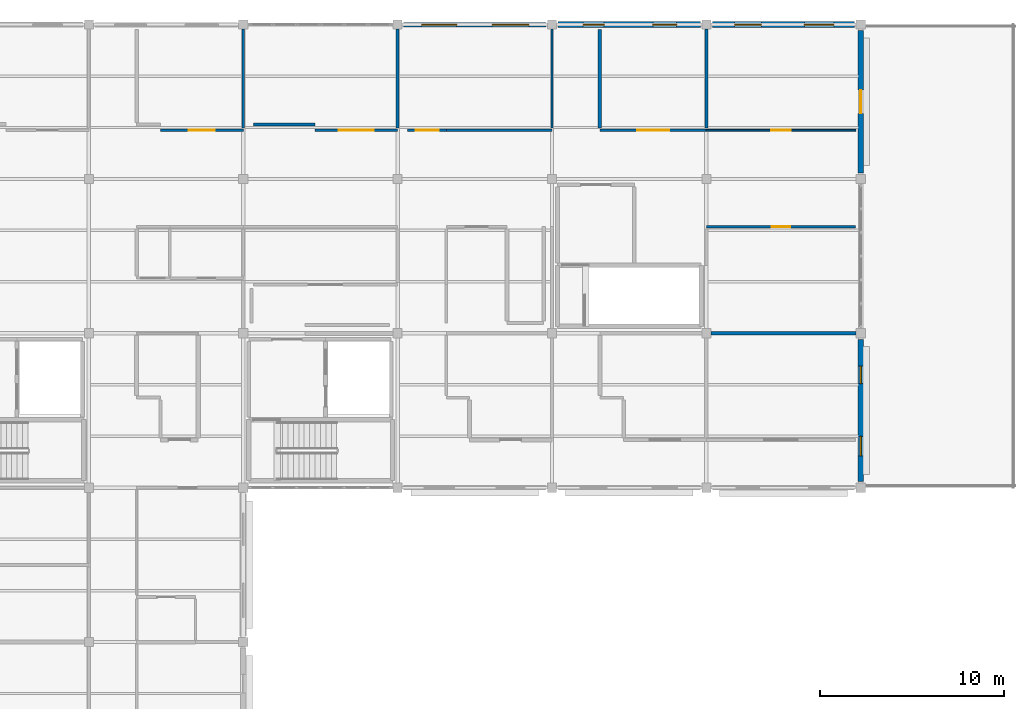
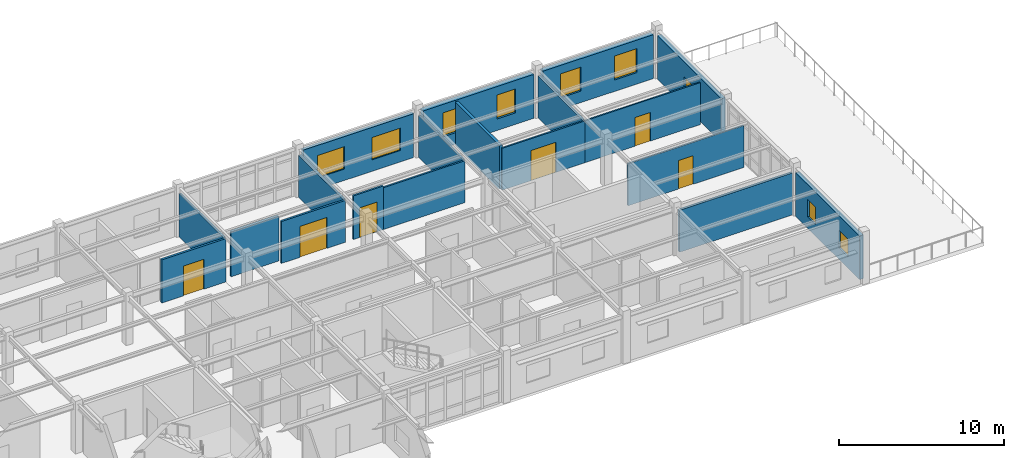
# One storey, part 45 of 53: 19 walls, 8 windows, 7 doors, 15 openings.
"""IFC4 building model written with IfcOpenShell, lengths in metres."""

from ifc_helpers import new_model, si_unit, direction, frame, frame_2d, origin, place, context, subcontext, project, spatial, rectangle, extrude, material, layer, layer_set, type_object, element, fill, save


model = new_model("IFC4")

# Units and contexts
model_context = context("Model", 3, precision=1e-05, world=origin(), true_north=direction((0.0, 1.0)))
body_context = subcontext(model_context, "Body", "Model", "MODEL_VIEW")
ifc_project = project(units=[si_unit("LENGTHUNIT", "METRE"), si_unit("AREAUNIT", "SQUARE_METRE"), si_unit("VOLUMEUNIT", "CUBIC_METRE"), si_unit("PLANEANGLEUNIT", "RADIAN"), si_unit("MASSUNIT", "GRAM", prefix="KILO")], contexts=[model_context])

# Site, building, storey
site_placement = place(None, origin())
site = spatial("IfcSite", under=ifc_project, at=site_placement, CompositionType="ELEMENT")
building_placement = place(site_placement, origin())
building = spatial("IfcBuilding", under=site, at=building_placement, Name="Bramfleet General Hospital", CompositionType="ELEMENT")
storey_placement = place(building_placement, frame((0.0, 0.0, 26.39990234375)))
storey = spatial("IfcBuildingStorey", under=building, at=storey_placement, Name="L06", CompositionType="ELEMENT", Elevation=26.39990234375)

# Wall, openings, windows
ifc_material_1 = material(Name="Precast concrete C40/50", Category="concrete")
ifc_layer_1 = layer(ifc_material_1, 0.3349609375, Name="WT-EW-03")
ifc_layer_set_1 = layer_set([ifc_layer_1], Name="Precast concrete C40/50")
wall_type_1 = type_object("IfcWallType", Name="WT-EW-03", PredefinedType="SOLIDWALL", material=ifc_layer_set_1)
wall_1_placement = place(storey_placement, frame((134.72509765625, 117.60009765625, 0.0), z_axis=(0.0, 0.0, 1.0), x_axis=(1.0, 0.0, 0.0)))
wall_1 = element("IfcWall", 1, at=wall_1_placement, inside=storey, type_object=wall_type_1, Name="L06 Exterior Wall 400", PredefinedType="SOLIDWALL", context=body_context, shape_type="SweptSolid", body=[
    extrude(rectangle(XDim=7.75, YDim=0.3349609375, at=frame_2d((3.875, 0.0))), origin(), (0.0, 0.0, 1.0), 3.260009765625),
])
opening_1_placement = place(wall_1_placement, frame((1.362548828125, 0.0, 0.85009765625)))
opening_1 = element("IfcOpeningElement", 2, at=opening_1_placement, cuts=wall_1, Name="Opening W-41", PredefinedType="OPENING", context=body_context, shape_type="SweptSolid", body=[
    extrude(rectangle(XDim=1.14990234375, YDim=1.780029296875, at=frame_2d((0.574951171875, 0.89013671875))), frame((0.0, 0.177490234375, 0.0), z_axis=(0.0, -1.0, 0.0), x_axis=(1.0, 0.0, 0.0)), (0.0, 0.0, 1.0), 0.35498046875),
])
opening_2_placement = place(wall_1_placement, frame((5.16259765625, 0.0, 0.85009765625)))
opening_2 = element("IfcOpeningElement", 3, at=opening_2_placement, cuts=wall_1, Name="Opening W-42", PredefinedType="OPENING", context=body_context, shape_type="SweptSolid", body=[
    extrude(rectangle(XDim=1.300048828125, YDim=1.780029296875, at=frame_2d((0.64990234375, 0.89013671875))), frame((0.0, 0.177490234375, 0.0), z_axis=(0.0, -1.0, 0.0), x_axis=(1.0, 0.0, 0.0)), (0.0, 0.0, 1.0), 0.35498046875),
])
ifc_material_2 = material(Name="Anodised aluminium and low-E triple glazing", Category="aluminium")
window_type_1 = type_object("IfcWindowType", Name="WIN-W-41", PartitioningType="SINGLE_PANEL", PredefinedType="WINDOW", material=ifc_material_2)
window_1_placement = place(opening_1_placement, origin())
window_1 = element("IfcWindow", 4, at=window_1_placement, inside=storey, type_object=window_type_1, Name="L06 Facade Window WIN-L06-400-1", OverallHeight=1.780029296875, OverallWidth=1.14990234375, PartitioningType="SINGLE_PANEL", PredefinedType="WINDOW", context=body_context, shape_type="SweptSolid", body=[
    extrude(rectangle(XDim=1.14990234375, YDim=1.780029296875, at=frame_2d((0.574951171875, 0.89013671875))), frame((0.0, 0.030029296875, 0.0), z_axis=(0.0, -1.0, 0.0), x_axis=(1.0, 0.0, 0.0)), (0.0, 0.0, 1.0), 0.06005859375),
])
fill(opening_1, window_1)
window_type_2 = type_object("IfcWindowType", Name="WIN-W-42", PartitioningType="SINGLE_PANEL", PredefinedType="WINDOW", material=ifc_material_2)
window_2_placement = place(opening_2_placement, origin())
window_2 = element("IfcWindow", 5, at=window_2_placement, inside=storey, type_object=window_type_2, Name="L06 Facade Window WIN-L06-400-2", OverallHeight=1.780029296875, OverallWidth=1.300048828125, PartitioningType="SINGLE_PANEL", PredefinedType="WINDOW", context=body_context, shape_type="SweptSolid", body=[
    extrude(rectangle(XDim=1.300048828125, YDim=1.780029296875, at=frame_2d((0.64990234375, 0.89013671875))), frame((0.0, 0.030029296875, 0.0), z_axis=(0.0, -1.0, 0.0), x_axis=(1.0, 0.0, 0.0)), (0.0, 0.0, 1.0), 0.06005859375),
])
fill(opening_2, window_2)

ifc_layer_2 = layer(ifc_material_1, 0.31494140625, Name="WT-EW-04")
ifc_layer_set_2 = layer_set([ifc_layer_2], Name="Precast concrete C40/50")
wall_type_2 = type_object("IfcWallType", Name="WT-EW-04", PredefinedType="SOLIDWALL", material=ifc_layer_set_2)
wall_2_placement = place(storey_placement, frame((143.125, 117.60009765625, 0.0), z_axis=(0.0, 0.0, 1.0), x_axis=(1.0, 0.0, 0.0)))
wall_2 = element("IfcWall", 6, at=wall_2_placement, inside=storey, type_object=wall_type_2, Name="L06 Exterior Wall 401", PredefinedType="SOLIDWALL", context=body_context, shape_type="SweptSolid", body=[
    extrude(rectangle(XDim=7.75, YDim=0.31494140625, at=frame_2d((3.875, 0.0))), origin(), (0.0, 0.0, 1.0), 3.260009765625),
])
opening_3_placement = place(wall_2_placement, frame((1.21240234375, 0.0, 0.85009765625)))
opening_3 = element("IfcOpeningElement", 7, at=opening_3_placement, cuts=wall_2, Name="Opening W-43", PredefinedType="OPENING", context=body_context, shape_type="SweptSolid", body=[
    extrude(rectangle(XDim=1.449951171875, YDim=1.780029296875, at=frame_2d((0.72509765625, 0.89013671875))), frame((0.0, 0.16748046875, 0.0), z_axis=(0.0, -1.0, 0.0), x_axis=(1.0, 0.0, 0.0)), (0.0, 0.0, 1.0), 0.3349609375),
])
opening_4_placement = place(wall_2_placement, frame((5.012451171875, 0.0, 0.85009765625)))
opening_4 = element("IfcOpeningElement", 8, at=opening_4_placement, cuts=wall_2, Name="Opening W-44", PredefinedType="OPENING", context=body_context, shape_type="SweptSolid", body=[
    extrude(rectangle(XDim=1.60009765625, YDim=1.780029296875, at=frame_2d((0.800048828125, 0.89013671875))), frame((0.0, 0.16748046875, 0.0), z_axis=(0.0, -1.0, 0.0), x_axis=(1.0, 0.0, 0.0)), (0.0, 0.0, 1.0), 0.3349609375),
])
window_type_3 = type_object("IfcWindowType", Name="WIN-W-43", PartitioningType="SINGLE_PANEL", PredefinedType="WINDOW", material=ifc_material_2)
window_3_placement = place(opening_3_placement, origin())
window_3 = element("IfcWindow", 9, at=window_3_placement, inside=storey, type_object=window_type_3, Name="L06 Facade Window WIN-L06-401-1", OverallHeight=1.780029296875, OverallWidth=1.449951171875, PartitioningType="SINGLE_PANEL", PredefinedType="WINDOW", context=body_context, shape_type="SweptSolid", body=[
    extrude(rectangle(XDim=1.449951171875, YDim=1.780029296875, at=frame_2d((0.72509765625, 0.89013671875))), frame((0.0, 0.030029296875, 0.0), z_axis=(0.0, -1.0, 0.0), x_axis=(1.0, 0.0, 0.0)), (0.0, 0.0, 1.0), 0.06005859375),
])
fill(opening_3, window_3)
window_type_4 = type_object("IfcWindowType", Name="WIN-W-44", PartitioningType="SINGLE_PANEL", PredefinedType="WINDOW", material=ifc_material_2)
window_4_placement = place(opening_4_placement, origin())
window_4 = element("IfcWindow", 10, at=window_4_placement, inside=storey, type_object=window_type_4, Name="L06 Facade Window WIN-L06-401-2", OverallHeight=1.780029296875, OverallWidth=1.60009765625, PartitioningType="SINGLE_PANEL", PredefinedType="WINDOW", context=body_context, shape_type="SweptSolid", body=[
    extrude(rectangle(XDim=1.60009765625, YDim=1.780029296875, at=frame_2d((0.800048828125, 0.89013671875))), frame((0.0, 0.030029296875, 0.0), z_axis=(0.0, -1.0, 0.0), x_axis=(1.0, 0.0, 0.0)), (0.0, 0.0, 1.0), 0.06005859375),
])
fill(opening_4, window_4)

# Wall, opening, door
ifc_layer_3 = layer(ifc_material_1, 0.294921875, Name="WT-EW-05")
ifc_layer_set_3 = layer_set([ifc_layer_3], Name="Precast concrete C40/50")
wall_type_3 = type_object("IfcWallType", Name="WT-EW-05", PredefinedType="SOLIDWALL", material=ifc_layer_set_3)
wall_3_placement = place(storey_placement, frame((151.199951171875, 117.27490234375, 0.0), z_axis=(0.0, 0.0, 1.0), x_axis=(0.0, -1.0, 0.0)))
wall_3 = element("IfcWall", 11, at=wall_3_placement, inside=storey, type_object=wall_type_3, Name="L06 Exterior Wall 402", PredefinedType="SOLIDWALL", context=body_context, shape_type="SweptSolid", body=[
    extrude(rectangle(XDim=7.75, YDim=0.294921875, at=frame_2d((3.875, 0.0))), origin(), (0.0, 0.0, 1.0), 3.239990234375),
])
opening_5_placement = place(wall_3_placement, frame((3.2451171875, 0.0, 0.0)))
opening_5 = element("IfcOpeningElement", 12, at=opening_5_placement, cuts=wall_3, Name="Opening D-L06-TER-030", PredefinedType="OPENING", context=body_context, shape_type="SweptSolid", body=[
    extrude(rectangle(XDim=1.260009765625, YDim=2.14990234375, at=frame_2d((0.6298828125, 1.074951171875))), frame((0.0, 0.157470703125, 0.0), z_axis=(0.0, -1.0, 0.0), x_axis=(1.0, 0.0, 0.0)), (0.0, 0.0, 1.0), 0.31494140625),
])
ifc_material_3 = material(Name="Thermally broken steel and laminated safety glass", Category="steel")
door_type_1 = type_object("IfcDoorType", Name="DR-ED-05", OperationType="NOTDEFINED", PredefinedType="DOOR", material=ifc_material_3)
door_1_placement = place(opening_5_placement, origin())
door_1 = element("IfcDoor", 13, at=door_1_placement, inside=storey, type_object=door_type_1, Name="L06 Terrace Pedestrian Access Door D-L06-TER-030", OperationType="SINGLE_SWING_LEFT", OverallHeight=2.14990234375, OverallWidth=1.260009765625, PredefinedType="DOOR", context=body_context, shape_type="SweptSolid", body=[
    extrude(rectangle(XDim=1.260009765625, YDim=2.14990234375, at=frame_2d((0.6298828125, 1.074951171875))), frame((0.0, 0.02490234375, 0.0), z_axis=(0.0, -1.0, 0.0), x_axis=(1.0, 0.0, 0.0)), (0.0, 0.0, 1.0), 0.050048828125),
])
fill(opening_5, door_1)

# Wall, openings, windows
ifc_layer_4 = layer(ifc_material_1, 0.280029296875, Name="WT-EW-06")
ifc_layer_set_4 = layer_set([ifc_layer_4], Name="Precast concrete C40/50")
wall_type_4 = type_object("IfcWallType", Name="WT-EW-06", PredefinedType="SOLIDWALL", material=ifc_layer_set_4)
wall_4_placement = place(storey_placement, frame((151.199951171875, 100.47509765625, 0.0), z_axis=(0.0, 0.0, 1.0), x_axis=(0.0, -1.0, 0.0)))
wall_4 = element("IfcWall", 14, at=wall_4_placement, inside=storey, type_object=wall_type_4, Name="L06 Exterior Wall 403", PredefinedType="SOLIDWALL", context=body_context, shape_type="SweptSolid", body=[
    extrude(rectangle(XDim=7.75, YDim=0.280029296875, at=frame_2d((3.875, 0.0))), origin(), (0.0, 0.0, 1.0), 3.239990234375),
])
opening_6_placement = place(wall_4_placement, frame((1.46240234375, 0.0, 0.85009765625)))
opening_6 = element("IfcOpeningElement", 15, at=opening_6_placement, cuts=wall_4, Name="Opening W-01", PredefinedType="OPENING", context=body_context, shape_type="SweptSolid", body=[
    extrude(rectangle(XDim=0.949951171875, YDim=1.300048828125, at=frame_2d((0.47509765625, 0.64990234375))), frame((0.0, 0.14990234375, 0.0), z_axis=(0.0, -1.0, 0.0), x_axis=(1.0, 0.0, 0.0)), (0.0, 0.0, 1.0), 0.300048828125),
])
opening_7_placement = place(wall_4_placement, frame((5.28759765625, 0.0, 0.85009765625)))
opening_7 = element("IfcOpeningElement", 16, at=opening_7_placement, cuts=wall_4, Name="Opening W-02", PredefinedType="OPENING", context=body_context, shape_type="SweptSolid", body=[
    extrude(rectangle(XDim=1.050048828125, YDim=1.300048828125, at=frame_2d((0.52490234375, 0.64990234375))), frame((0.0, 0.14990234375, 0.0), z_axis=(0.0, -1.0, 0.0), x_axis=(1.0, 0.0, 0.0)), (0.0, 0.0, 1.0), 0.300048828125),
])
window_type_5 = type_object("IfcWindowType", Name="WIN-W-01", PartitioningType="SINGLE_PANEL", PredefinedType="WINDOW", material=ifc_material_2)
window_5_placement = place(opening_6_placement, origin())
window_5 = element("IfcWindow", 17, at=window_5_placement, inside=storey, type_object=window_type_5, Name="L06 Facade Window WIN-L06-403-1", OverallHeight=1.300048828125, OverallWidth=0.949951171875, PartitioningType="SINGLE_PANEL", PredefinedType="WINDOW", context=body_context, shape_type="SweptSolid", body=[
    extrude(rectangle(XDim=0.949951171875, YDim=1.300048828125, at=frame_2d((0.47509765625, 0.64990234375))), frame((0.0, 0.030029296875, 0.0), z_axis=(0.0, -1.0, 0.0), x_axis=(1.0, 0.0, 0.0)), (0.0, 0.0, 1.0), 0.06005859375),
])
fill(opening_6, window_5)
window_type_6 = type_object("IfcWindowType", Name="WIN-W-02", PartitioningType="SINGLE_PANEL", PredefinedType="WINDOW", material=ifc_material_2)
window_6_placement = place(opening_7_placement, origin())
window_6 = element("IfcWindow", 18, at=window_6_placement, inside=storey, type_object=window_type_6, Name="L06 Facade Window WIN-L06-403-2", OverallHeight=1.300048828125, OverallWidth=1.050048828125, PartitioningType="SINGLE_PANEL", PredefinedType="WINDOW", context=body_context, shape_type="SweptSolid", body=[
    extrude(rectangle(XDim=1.050048828125, YDim=1.300048828125, at=frame_2d((0.52490234375, 0.64990234375))), frame((0.0, 0.030029296875, 0.0), z_axis=(0.0, -1.0, 0.0), x_axis=(1.0, 0.0, 0.0)), (0.0, 0.0, 1.0), 0.06005859375),
])
fill(opening_7, window_6)

ifc_layer_5 = layer(ifc_material_1, 0.235107421875, Name="WT-EW-09")
ifc_layer_set_5 = layer_set([ifc_layer_5], Name="Precast concrete C40/50")
wall_type_5 = type_object("IfcWallType", Name="WT-EW-09", PredefinedType="SOLIDWALL", material=ifc_layer_set_5)
wall_5_placement = place(storey_placement, frame((126.324951171875, 117.60009765625, 0.0), z_axis=(0.0, 0.0, 1.0), x_axis=(1.0, 0.0, 0.0)))
wall_5 = element("IfcWall", 19, at=wall_5_placement, inside=storey, type_object=wall_type_5, Name="L06 Exterior Wall 399", PredefinedType="SOLIDWALL", context=body_context, shape_type="SweptSolid", body=[
    extrude(rectangle(XDim=7.75, YDim=0.235107421875, at=frame_2d((3.875, 0.0))), origin(), (0.0, 0.0, 1.0), 3.260009765625),
])
opening_8_placement = place(wall_5_placement, frame((0.987548828125, 0.0, 0.85009765625)))
opening_8 = element("IfcOpeningElement", 20, at=opening_8_placement, cuts=wall_5, Name="Opening W-39", PredefinedType="OPENING", context=body_context, shape_type="SweptSolid", body=[
    extrude(rectangle(XDim=1.89990234375, YDim=1.659912109375, at=frame_2d((0.949951171875, 0.830078125))), frame((0.0, 0.12744140625, 0.0), z_axis=(0.0, -1.0, 0.0), x_axis=(1.0, 0.0, 0.0)), (0.0, 0.0, 1.0), 0.255126953125),
])
opening_9_placement = place(wall_5_placement, frame((4.8125, 0.0, 0.85009765625)))
opening_9 = element("IfcOpeningElement", 21, at=opening_9_placement, cuts=wall_5, Name="Opening W-40", PredefinedType="OPENING", context=body_context, shape_type="SweptSolid", body=[
    extrude(rectangle(XDim=2.0, YDim=1.659912109375, at=frame_2d((1.0, 0.830078125))), frame((0.0, 0.12744140625, 0.0), z_axis=(0.0, -1.0, 0.0), x_axis=(1.0, 0.0, 0.0)), (0.0, 0.0, 1.0), 0.255126953125),
])
window_type_7 = type_object("IfcWindowType", Name="WIN-W-39", PartitioningType="SINGLE_PANEL", PredefinedType="WINDOW", material=ifc_material_2)
window_7_placement = place(opening_8_placement, origin())
window_7 = element("IfcWindow", 22, at=window_7_placement, inside=storey, type_object=window_type_7, Name="L06 Facade Window WIN-L06-399-1", OverallHeight=1.659912109375, OverallWidth=1.89990234375, PartitioningType="SINGLE_PANEL", PredefinedType="WINDOW", context=body_context, shape_type="SweptSolid", body=[
    extrude(rectangle(XDim=1.89990234375, YDim=1.659912109375, at=frame_2d((0.949951171875, 0.830078125))), frame((0.0, 0.030029296875, 0.0), z_axis=(0.0, -1.0, 0.0), x_axis=(1.0, 0.0, 0.0)), (0.0, 0.0, 1.0), 0.06005859375),
])
fill(opening_8, window_7)
window_type_8 = type_object("IfcWindowType", Name="WIN-W-40", PartitioningType="SINGLE_PANEL", PredefinedType="WINDOW", material=ifc_material_2)
window_8_placement = place(opening_9_placement, origin())
window_8 = element("IfcWindow", 23, at=window_8_placement, inside=storey, type_object=window_type_8, Name="L06 Facade Window WIN-L06-399-2", OverallHeight=1.659912109375, OverallWidth=2.0, PartitioningType="SINGLE_PANEL", PredefinedType="WINDOW", context=body_context, shape_type="SweptSolid", body=[
    extrude(rectangle(XDim=2.0, YDim=1.659912109375, at=frame_2d((1.0, 0.830078125))), frame((0.0, 0.030029296875, 0.0), z_axis=(0.0, -1.0, 0.0), x_axis=(1.0, 0.0, 0.0)), (0.0, 0.0, 1.0), 0.06005859375),
])
fill(opening_9, window_8)

# Walls
ifc_material_4 = material(Name="Concrete C35/45", Category="concrete")
ifc_layer_6 = layer(ifc_material_4, 0.205078125, Name="WT-IW-02")
ifc_layer_set_6 = layer_set([ifc_layer_6], Name="Concrete C35/45")
wall_type_6 = type_object("IfcWallType", Name="WT-IW-02", PredefinedType="PARTITIONING", material=ifc_layer_set_6)
wall_6_placement = place(storey_placement, frame((137.0, 111.965087890625, 0.0), z_axis=(0.0, 0.0, 1.0), x_axis=(0.0, 1.0, 0.0)))
element("IfcWall", 24, at=wall_6_placement, inside=storey, type_object=wall_type_6, Name="L06 Interior Partition IW-L06-4118", PredefinedType="PARTITIONING", context=body_context, shape_type="SweptSolid", body=[
    extrude(rectangle(XDim=5.35498046875, YDim=0.205078125, at=frame_2d((2.677490234375, 0.0))), origin(), (0.0, 0.0, 1.0), 3.239990234375),
])
ifc_layer_7 = layer(ifc_material_4, 0.179931640625, Name="WT-IW-04")
ifc_layer_set_7 = layer_set([ifc_layer_7], Name="Concrete C35/45")
wall_type_7 = type_object("IfcWallType", Name="WT-IW-04", PredefinedType="PARTITIONING", material=ifc_layer_set_7)
wall_7_placement = place(storey_placement, frame((143.044921875, 100.800048828125, 0.0), z_axis=(0.0, 0.0, 1.0), x_axis=(1.0, 0.0, 0.0)))
element("IfcWall", 25, at=wall_7_placement, inside=storey, type_object=wall_type_7, Name="L06 Interior Partition IW-L06-3940", PredefinedType="PARTITIONING", context=body_context, shape_type="SweptSolid", body=[
    extrude(rectangle(XDim=7.91015625, YDim=0.179931640625, at=frame_2d((3.955078125, 0.0))), origin(), (0.0, 0.0, 1.0), 3.110107421875),
])
ifc_material_5 = material(Name="Gypsum plasterboard on acoustic steel studs", Category="steel")
ifc_layer_8 = layer(ifc_material_5, 0.169921875, Name="WT-IW-05")
ifc_layer_set_8 = layer_set([ifc_layer_8], Name="Gypsum plasterboard on acoustic steel studs")
wall_type_8 = type_object("IfcWallType", Name="WT-IW-05", PredefinedType="PARTITIONING", material=ifc_layer_set_8)
wall_8_placement = place(storey_placement, frame((126.0, 111.965087890625, 0.0), z_axis=(0.0, 0.0, 1.0), x_axis=(0.0, 1.0, 0.0)))
element("IfcWall", 26, at=wall_8_placement, inside=storey, type_object=wall_type_8, Name="L06 Interior Partition IW-L06-4097", PredefinedType="PARTITIONING", context=body_context, shape_type="SweptSolid", body=[
    extrude(rectangle(XDim=5.389892578125, YDim=0.169921875, at=frame_2d((2.69482421875, 0.0))), origin(), (0.0, 0.0, 1.0), 3.110107421875),
])
ifc_layer_9 = layer(ifc_material_5, 0.159912109375, Name="WT-IW-06")
ifc_layer_set_9 = layer_set([ifc_layer_9], Name="Gypsum plasterboard on acoustic steel studs")
wall_type_9 = type_object("IfcWallType", Name="WT-IW-06", PredefinedType="PARTITIONING", material=ifc_layer_set_9)
wall_9_placement = place(storey_placement, frame((118.14990234375, 112.169921875, 0.0), z_axis=(0.0, 0.0, 1.0), x_axis=(1.0, 0.0, 0.0)))
element("IfcWall", 27, at=wall_9_placement, inside=storey, type_object=wall_type_9, Name="L06 Interior Partition IW-L06-3978", PredefinedType="PARTITIONING", context=body_context, shape_type="SweptSolid", body=[
    extrude(rectangle(XDim=3.35009765625, YDim=0.159912109375, at=frame_2d((1.675048828125, 0.0))), origin(), (0.0, 0.0, 1.0), 3.340087890625),
])
wall_10_placement = place(storey_placement, frame((142.800048828125, 111.965087890625, 0.0), z_axis=(0.0, 0.0, 1.0), x_axis=(0.0, 1.0, 0.0)))
element("IfcWall", 28, at=wall_10_placement, inside=storey, type_object=wall_type_9, Name="L06 Interior Partition IW-L06-4122", PredefinedType="PARTITIONING", context=body_context, shape_type="SweptSolid", body=[
    extrude(rectangle(XDim=5.389892578125, YDim=0.159912109375, at=frame_2d((2.69482421875, 0.0))), origin(), (0.0, 0.0, 1.0), 3.110107421875),
])

# Wall, opening, door
ifc_layer_10 = layer(ifc_material_5, 0.14990234375, Name="WT-IW-07")
ifc_layer_set_10 = layer_set([ifc_layer_10], Name="Gypsum plasterboard on acoustic steel studs")
wall_type_10 = type_object("IfcWallType", Name="WT-IW-07", PredefinedType="PARTITIONING", material=ifc_layer_set_10)
wall_11_placement = place(storey_placement, frame((113.10009765625, 111.85009765625, 0.0), z_axis=(0.0, 0.0, 1.0), x_axis=(1.0, 0.0, 0.0)))
wall_11 = element("IfcWall", 29, at=wall_11_placement, inside=storey, type_object=wall_type_10, Name="L06 Interior Partition IW-L06-3967", PredefinedType="PARTITIONING", context=body_context, shape_type="SweptSolid", body=[
    extrude(rectangle(XDim=4.5, YDim=0.14990234375, at=frame_2d((2.25, 0.0))), origin(), (0.0, 0.0, 1.0), 3.210205078125),
])
opening_10_placement = place(wall_11_placement, frame((1.5400390625, 0.0, 0.0)))
opening_10 = element("IfcOpeningElement", 30, at=opening_10_placement, cuts=wall_11, Name="Opening D1503", PredefinedType="OPENING", context=body_context, shape_type="SweptSolid", body=[
    extrude(rectangle(XDim=1.419921875, YDim=2.219970703125, at=frame_2d((0.7099609375, 1.10986328125))), frame((0.0, 0.0849609375, 0.0), z_axis=(0.0, -1.0, 0.0), x_axis=(1.0, 0.0, 0.0)), (0.0, 0.0, 1.0), 0.169921875),
])
ifc_material_6 = material(Name="Stainless steel and acoustic timber leaf", Category="steel")
door_type_2 = type_object("IfcDoorType", Name="DR-D-31", OperationType="NOTDEFINED", PredefinedType="DOOR", material=ifc_material_6)
door_2_placement = place(opening_10_placement, origin())
door_2 = element("IfcDoor", 31, at=door_2_placement, inside=storey, type_object=door_type_2, Name="Oncology and Neurology Ward Bedroom L06-1313 Door D1503", OperationType="SINGLE_SWING_RIGHT", OverallHeight=2.219970703125, OverallWidth=1.419921875, PredefinedType="DOOR", context=body_context, shape_type="SweptSolid", body=[
    extrude(rectangle(XDim=1.419921875, YDim=2.219970703125, at=frame_2d((0.7099609375, 1.10986328125))), frame((0.0, 0.02490234375, 0.0), z_axis=(0.0, -1.0, 0.0), x_axis=(1.0, 0.0, 0.0)), (0.0, 0.0, 1.0), 0.050048828125),
])
fill(opening_10, door_2)

# Wall
wall_12_placement = place(storey_placement, frame((117.60009765625, 111.965087890625, 0.0), z_axis=(0.0, 0.0, 1.0), x_axis=(0.0, 1.0, 0.0)))
element("IfcWall", 32, at=wall_12_placement, inside=storey, type_object=wall_type_10, Name="L06 Interior Partition IW-L06-4087", PredefinedType="PARTITIONING", context=body_context, shape_type="SweptSolid", body=[
    extrude(rectangle(XDim=5.389892578125, YDim=0.14990234375, at=frame_2d((2.69482421875, 0.0))), origin(), (0.0, 0.0, 1.0), 3.210205078125),
])

# Wall, opening, door
ifc_layer_11 = layer(ifc_material_5, 0.139892578125, Name="WT-IW-08")
ifc_layer_set_11 = layer_set([ifc_layer_11], Name="Gypsum plasterboard on acoustic steel studs")
wall_type_11 = type_object("IfcWallType", Name="WT-IW-08", PredefinedType="PARTITIONING", material=ifc_layer_set_11)
wall_13_placement = place(storey_placement, frame((121.5, 111.85009765625, 0.0), z_axis=(0.0, 0.0, 1.0), x_axis=(1.0, 0.0, 0.0)))
wall_13 = element("IfcWall", 33, at=wall_13_placement, inside=storey, type_object=wall_type_11, Name="L06 Interior Partition IW-L06-3968", PredefinedType="PARTITIONING", context=body_context, shape_type="SweptSolid", body=[
    extrude(rectangle(XDim=4.5, YDim=0.139892578125, at=frame_2d((2.25, 0.0))), origin(), (0.0, 0.0, 1.0), 3.110107421875),
])
opening_11_placement = place(wall_13_placement, frame((1.300048828125, 0.0, 0.0)))
opening_11 = element("IfcOpeningElement", 34, at=opening_11_placement, cuts=wall_13, Name="Opening D1510", PredefinedType="OPENING", context=body_context, shape_type="SweptSolid", body=[
    extrude(rectangle(XDim=1.89990234375, YDim=2.300048828125, at=frame_2d((0.949951171875, 1.14990234375))), frame((0.0, 0.079833984375, 0.0), z_axis=(0.0, -1.0, 0.0), x_axis=(1.0, 0.0, 0.0)), (0.0, 0.0, 1.0), 0.159912109375),
])
door_type_3 = type_object("IfcDoorType", Name="DR-D-06", OperationType="NOTDEFINED", PredefinedType="DOOR", material=ifc_material_6)
door_3_placement = place(opening_11_placement, origin())
door_3 = element("IfcDoor", 35, at=door_3_placement, inside=storey, type_object=door_type_3, Name="Oncology and Neurology Ward Bedroom L06-1413 Door D1510", OperationType="DOUBLE_SWING_LEFT", OverallHeight=2.300048828125, OverallWidth=1.89990234375, PredefinedType="DOOR", context=body_context, shape_type="SweptSolid", body=[
    extrude(rectangle(XDim=1.89990234375, YDim=2.300048828125, at=frame_2d((0.949951171875, 1.14990234375))), frame((0.0, 0.02490234375, 0.0), z_axis=(0.0, -1.0, 0.0), x_axis=(1.0, 0.0, 0.0)), (0.0, 0.0, 1.0), 0.050048828125),
])
fill(opening_11, door_3)

ifc_layer_12 = layer(ifc_material_5, 0.1298828125, Name="WT-IW-09")
ifc_layer_set_12 = layer_set([ifc_layer_12], Name="Gypsum plasterboard on acoustic steel studs")
wall_type_12 = type_object("IfcWallType", Name="WT-IW-09", PredefinedType="PARTITIONING", material=ifc_layer_set_12)
wall_14_placement = place(storey_placement, frame((126.550048828125, 111.85009765625, 0.0), z_axis=(0.0, 0.0, 1.0), x_axis=(1.0, 0.0, 0.0)))
wall_14 = element("IfcWall", 36, at=wall_14_placement, inside=storey, type_object=wall_type_12, Name="L06 Interior Partition IW-L06-3969", PredefinedType="PARTITIONING", context=body_context, shape_type="SweptSolid", body=[
    extrude(rectangle(XDim=2.099853515625, YDim=0.1298828125, at=frame_2d((1.0498046875, 0.0))), origin(), (0.0, 0.0, 1.0), 3.239990234375),
])
opening_12_placement = place(wall_14_placement, frame((0.425048828125, 0.0, 0.0)))
opening_12 = element("IfcOpeningElement", 37, at=opening_12_placement, cuts=wall_14, Name="Opening D1518", PredefinedType="OPENING", context=body_context, shape_type="SweptSolid", body=[
    extrude(rectangle(XDim=1.25, YDim=2.199951171875, at=frame_2d((0.625, 1.10009765625))), frame((0.0, 0.074951171875, 0.0), z_axis=(0.0, -1.0, 0.0), x_axis=(1.0, 0.0, 0.0)), (0.0, 0.0, 1.0), 0.14990234375),
])
door_type_4 = type_object("IfcDoorType", Name="DR-D-14", OperationType="NOTDEFINED", PredefinedType="DOOR", material=ifc_material_6)
door_4_placement = place(opening_12_placement, origin())
door_4 = element("IfcDoor", 38, at=door_4_placement, inside=storey, type_object=door_type_4, Name="Inpatient Rehabilitation Therapy Gym L06-15 Door D1518", OperationType="SINGLE_SWING_LEFT", OverallHeight=2.199951171875, OverallWidth=1.25, PredefinedType="DOOR", context=body_context, shape_type="SweptSolid", body=[
    extrude(rectangle(XDim=1.25, YDim=2.199951171875, at=frame_2d((0.625, 1.10009765625))), frame((0.0, 0.02490234375, 0.0), z_axis=(0.0, -1.0, 0.0), x_axis=(1.0, 0.0, 0.0)), (0.0, 0.0, 1.0), 0.050048828125),
])
fill(opening_12, door_4)

# Wall
wall_15_placement = place(storey_placement, frame((134.39990234375, 111.965087890625, 0.0), z_axis=(0.0, 0.0, 1.0), x_axis=(0.0, 1.0, 0.0)))
element("IfcWall", 39, at=wall_15_placement, inside=storey, type_object=wall_type_12, Name="L06 Interior Partition IW-L06-4113", PredefinedType="PARTITIONING", context=body_context, shape_type="SweptSolid", body=[
    extrude(rectangle(XDim=5.389892578125, YDim=0.1298828125, at=frame_2d((2.69482421875, 0.0))), origin(), (0.0, 0.0, 1.0), 3.110107421875),
])

# Wall, opening, door
ifc_layer_13 = layer(ifc_material_5, 0.1201171875, Name="WT-IW-10")
ifc_layer_set_13 = layer_set([ifc_layer_13], Name="Gypsum plasterboard on acoustic steel studs")
wall_type_13 = type_object("IfcWallType", Name="WT-IW-10", PredefinedType="PARTITIONING", material=ifc_layer_set_13)
wall_16_placement = place(storey_placement, frame((142.800048828125, 106.60009765625, 0.0), z_axis=(0.0, 0.0, 1.0), x_axis=(1.0, 0.0, 0.0)))
wall_16 = element("IfcWall", 40, at=wall_16_placement, inside=storey, type_object=wall_type_13, Name="L06 Interior Partition IW-L06-3958", PredefinedType="PARTITIONING", context=body_context, shape_type="SweptSolid", body=[
    extrude(rectangle(XDim=8.119873046875, YDim=0.1201171875, at=frame_2d((4.06005859375, 0.0))), origin(), (0.0, 0.0, 1.0), 3.110107421875),
])
opening_13_placement = place(wall_16_placement, frame((3.550048828125, 0.0, 0.0)))
opening_13 = element("IfcOpeningElement", 41, at=opening_13_placement, cuts=wall_16, Name="Opening D1525", PredefinedType="OPENING", context=body_context, shape_type="SweptSolid", body=[
    extrude(rectangle(XDim=1.02001953125, YDim=2.1201171875, at=frame_2d((0.510009765625, 1.06005859375))), frame((0.0, 0.070068359375, 0.0), z_axis=(0.0, -1.0, 0.0), x_axis=(1.0, 0.0, 0.0)), (0.0, 0.0, 1.0), 0.14013671875),
])
door_type_5 = type_object("IfcDoorType", Name="DR-D-21", OperationType="NOTDEFINED", PredefinedType="DOOR", material=ifc_material_6)
door_5_placement = place(opening_13_placement, origin())
door_5 = element("IfcDoor", 42, at=door_5_placement, inside=storey, type_object=door_type_5, Name="Patient Dayroom and Garden Lounge L06-1712 Door D1525", OperationType="SINGLE_SWING_RIGHT", OverallHeight=2.1201171875, OverallWidth=1.02001953125, PredefinedType="DOOR", context=body_context, shape_type="SweptSolid", body=[
    extrude(rectangle(XDim=1.02001953125, YDim=2.1201171875, at=frame_2d((0.510009765625, 1.06005859375))), frame((0.0, 0.02490234375, 0.0), z_axis=(0.0, -1.0, 0.0), x_axis=(1.0, 0.0, 0.0)), (0.0, 0.0, 1.0), 0.050048828125),
])
fill(opening_13, door_5)

# Wall
wall_17_placement = place(storey_placement, frame((128.64990234375, 111.85009765625, 0.0), z_axis=(0.0, 0.0, 1.0), x_axis=(1.0, 0.0, 0.0)))
element("IfcWall", 43, at=wall_17_placement, inside=storey, type_object=wall_type_13, Name="L06 Interior Partition IW-L06-3970", PredefinedType="PARTITIONING", context=body_context, shape_type="SweptSolid", body=[
    extrude(rectangle(XDim=5.75, YDim=0.1201171875, at=frame_2d((2.875, 0.0))), origin(), (0.0, 0.0, 1.0), 3.110107421875),
])

# Wall, opening, door
ifc_layer_14 = layer(ifc_material_5, 0.112060546875, Name="WT-IW-11")
ifc_layer_set_14 = layer_set([ifc_layer_14], Name="Gypsum plasterboard on acoustic steel studs")
wall_type_14 = type_object("IfcWallType", Name="WT-IW-11", PredefinedType="PARTITIONING", material=ifc_layer_set_14)
wall_18_placement = place(storey_placement, frame((137.0, 111.85009765625, 0.0), z_axis=(0.0, 0.0, 1.0), x_axis=(1.0, 0.0, 0.0)))
wall_18 = element("IfcWall", 44, at=wall_18_placement, inside=storey, type_object=wall_type_14, Name="L06 Interior Partition IW-L06-3971", PredefinedType="PARTITIONING", context=body_context, shape_type="SweptSolid", body=[
    extrude(rectangle(XDim=5.800048828125, YDim=0.112060546875, at=frame_2d((2.89990234375, 0.0))), origin(), (0.0, 0.0, 1.0), 3.110107421875),
])
opening_14_placement = place(wall_18_placement, frame((2.030029296875, 0.0, 0.0)))
opening_14 = element("IfcOpeningElement", 45, at=opening_14_placement, cuts=wall_18, Name="Opening D1523", PredefinedType="OPENING", context=body_context, shape_type="SweptSolid", body=[
    extrude(rectangle(XDim=1.739990234375, YDim=2.239990234375, at=frame_2d((0.8701171875, 1.1201171875))), frame((0.0, 0.06591796875, 0.0), z_axis=(0.0, -1.0, 0.0), x_axis=(1.0, 0.0, 0.0)), (0.0, 0.0, 1.0), 0.132080078125),
])
door_type_6 = type_object("IfcDoorType", Name="DR-D-19", OperationType="NOTDEFINED", PredefinedType="DOOR", material=ifc_material_6)
door_6_placement = place(opening_14_placement, origin())
door_6 = element("IfcDoor", 46, at=door_6_placement, inside=storey, type_object=door_type_6, Name="Inpatient Rehabilitation Therapy Gym L06-16 Door D1523", OperationType="DOUBLE_SWING_RIGHT", OverallHeight=2.239990234375, OverallWidth=1.739990234375, PredefinedType="DOOR", context=body_context, shape_type="SweptSolid", body=[
    extrude(rectangle(XDim=1.739990234375, YDim=2.239990234375, at=frame_2d((0.8701171875, 1.1201171875))), frame((0.0, 0.02490234375, 0.0), z_axis=(0.0, -1.0, 0.0), x_axis=(1.0, 0.0, 0.0)), (0.0, 0.0, 1.0), 0.050048828125),
])
fill(opening_14, door_6)

ifc_layer_15 = layer(ifc_material_5, 0.10009765625, Name="WT-IW-12")
ifc_layer_set_15 = layer_set([ifc_layer_15], Name="Gypsum plasterboard on acoustic steel studs")
wall_type_15 = type_object("IfcWallType", Name="WT-IW-12", PredefinedType="PARTITIONING", material=ifc_layer_set_15)
wall_19_placement = place(storey_placement, frame((142.800048828125, 111.85009765625, 0.0), z_axis=(0.0, 0.0, 1.0), x_axis=(1.0, 0.0, 0.0)))
wall_19 = element("IfcWall", 47, at=wall_19_placement, inside=storey, type_object=wall_type_15, Name="L06 Interior Partition IW-L06-3972", PredefinedType="PARTITIONING", context=body_context, shape_type="SweptSolid", body=[
    extrude(rectangle(XDim=8.119873046875, YDim=0.10009765625, at=frame_2d((4.06005859375, 0.0))), origin(), (0.0, 0.0, 1.0), 3.110107421875),
])
opening_15_placement = place(wall_19_placement, frame((3.52001953125, 0.0, 0.0)))
opening_15 = element("IfcOpeningElement", 48, at=opening_15_placement, cuts=wall_19, Name="Opening D1526", PredefinedType="OPENING", context=body_context, shape_type="SweptSolid", body=[
    extrude(rectangle(XDim=1.080078125, YDim=2.1201171875, at=frame_2d((0.5400390625, 1.06005859375))), frame((0.0, 0.06005859375, 0.0), z_axis=(0.0, -1.0, 0.0), x_axis=(1.0, 0.0, 0.0)), (0.0, 0.0, 1.0), 0.1201171875),
])
door_type_7 = type_object("IfcDoorType", Name="DR-D-22", OperationType="NOTDEFINED", PredefinedType="DOOR", material=ifc_material_6)
door_7_placement = place(opening_15_placement, origin())
door_7 = element("IfcDoor", 49, at=door_7_placement, inside=storey, type_object=door_type_7, Name="Patient Dayroom and Garden Lounge L06-1713 Door D1526", OperationType="SINGLE_SWING_LEFT", OverallHeight=2.1201171875, OverallWidth=1.080078125, PredefinedType="DOOR", context=body_context, shape_type="SweptSolid", body=[
    extrude(rectangle(XDim=1.080078125, YDim=2.1201171875, at=frame_2d((0.5400390625, 1.06005859375))), frame((0.0, 0.02490234375, 0.0), z_axis=(0.0, -1.0, 0.0), x_axis=(1.0, 0.0, 0.0)), (0.0, 0.0, 1.0), 0.050048828125),
])
fill(opening_15, door_7)

save(model, "model.ifc")
